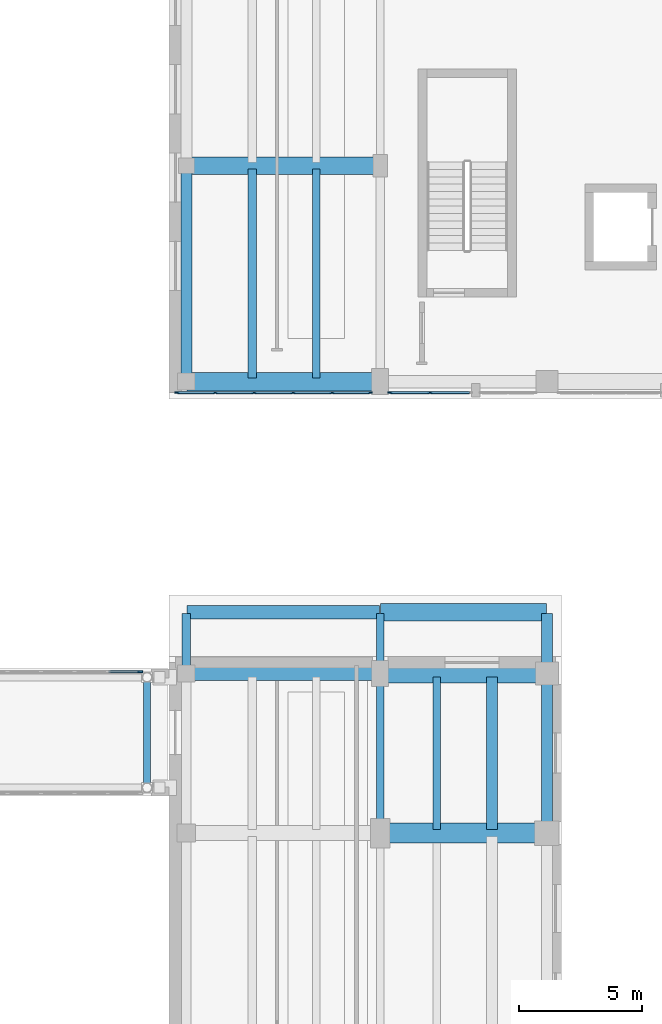
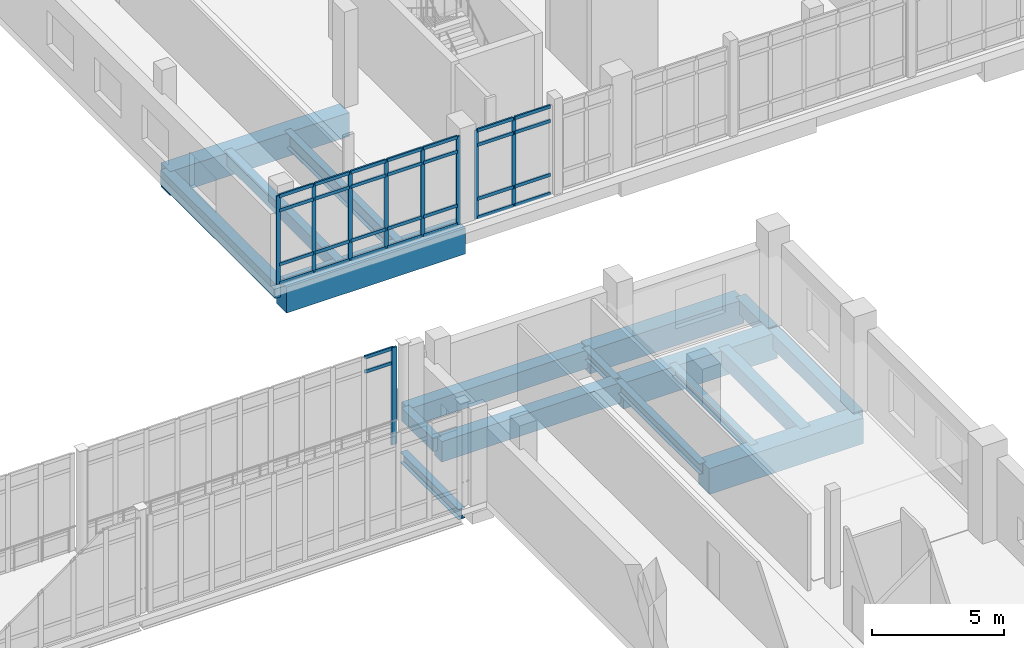
# One storey, part 25 of 89: 39 members, 18 beams, 3 elements without a shape of their own.
"""IFC4 building model written with IfcOpenShell, lengths in metres."""

from ifc_helpers import new_model, si_unit, direction, frame, origin, origin_2d, place, context, subcontext, project, spatial, rectangle, i_section, extrude, material, material_profile, profile_set, type_object, element, aggregate, save


model = new_model("IFC4")

# Units and contexts
model_context = context("Model", 3, precision=1e-05, world=origin(), true_north=direction((0.0, 1.0)))
body_context = subcontext(model_context, "Body", "Model", "MODEL_VIEW")
ifc_project = project(units=[si_unit("LENGTHUNIT", "METRE"), si_unit("AREAUNIT", "SQUARE_METRE"), si_unit("VOLUMEUNIT", "CUBIC_METRE"), si_unit("PLANEANGLEUNIT", "RADIAN"), si_unit("MASSUNIT", "GRAM", prefix="KILO")], contexts=[model_context])

# Site, building, storey
site_placement = place(None, origin())
site = spatial("IfcSite", under=ifc_project, at=site_placement, CompositionType="ELEMENT")
building_placement = place(site_placement, origin())
building = spatial("IfcBuilding", under=site, at=building_placement, Name="Soyqirgoq Riverine Aquarium", CompositionType="ELEMENT")
storey_placement = place(building_placement, frame((0.0, 0.0, 5.39990234375)))
storey = spatial("IfcBuildingStorey", under=building, at=storey_placement, Name="L02", CompositionType="ELEMENT", Elevation=5.39990234375)

# Beams
ifc_material_1 = material(Name="Concrete C40/50", Category="concrete")
ifc_material_profile_1 = material_profile(ifc_material_1, rectangle(XDim=0.35009765625, YDim=0.60009765625, at=origin_2d()), Name="RC 350x600")
ifc_profile_set_1 = profile_set([ifc_material_profile_1], Name="Concrete C40/50")
beam_type_1 = type_object("IfcBeamType", Name="Beam_RC_350x600", PredefinedType="JOIST", material=ifc_profile_set_1)
beam_1_placement = place(storey_placement, frame((114.699951171875, 44.85009765625, -0.64990234375), z_axis=(0.0, 1.0, 0.0), x_axis=(-1.0, 0.0, 0.0)))
element("IfcBeam", 1, at=beam_1_placement, inside=storey, type_object=beam_type_1, Name="V6 L02 North-South Frame Beam 1092", PredefinedType="JOIST", context=body_context, shape_type="SweptSolid", body=[
    extrude(rectangle(XDim=0.35009765625, YDim=0.60009765625, at=origin_2d()), origin(), (0.0, 0.0, 1.0), 2.39990234375),
])
beam_2_placement = place(storey_placement, frame((117.385986328125, 56.840087890625, -0.64990234375), z_axis=(0.0, 1.0, 0.0), x_axis=(-1.0, 0.0, 0.0)))
element("IfcBeam", 2, at=beam_2_placement, inside=storey, type_object=beam_type_1, Name="V7 L02 Secondary Bay Joist 1337", PredefinedType="JOIST", context=body_context, shape_type="SweptSolid", body=[
    extrude(rectangle(XDim=0.35009765625, YDim=0.60009765625, at=origin_2d()), origin(), (0.0, 0.0, 1.0), 8.52001953125),
])
ifc_material_2 = material(Name="Concrete C40/50", Category="concrete")
ifc_material_profile_2 = material_profile(ifc_material_2, rectangle(XDim=0.449951171875, YDim=0.64990234375, at=origin_2d()), Name="RC 450x650")
ifc_profile_set_2 = profile_set([ifc_material_profile_2], Name="Concrete C40/50")
beam_type_2 = type_object("IfcBeamType", Name="Beam_RC_450x650", PredefinedType="BEAM", material=ifc_profile_set_2)
beam_3_placement = place(storey_placement, frame((129.39990234375, 44.85009765625, -0.6748046875), z_axis=(0.0, 1.0, 0.0), x_axis=(-1.0, 0.0, 0.0)))
element("IfcBeam", 3, at=beam_3_placement, inside=storey, type_object=beam_type_2, Name="V6 L02 North-South Frame Beam 1112", PredefinedType="BEAM", context=body_context, shape_type="SweptSolid", body=[
    extrude(rectangle(XDim=0.449951171875, YDim=0.64990234375, at=origin_2d()), origin(), (0.0, 0.0, 1.0), 2.39990234375),
])
ifc_material_3 = material(Name="Concrete C40/50", Category="concrete")
ifc_material_profile_3 = material_profile(ifc_material_3, rectangle(XDim=0.449951171875, YDim=0.699951171875, at=origin_2d()), Name="RC 450x700")
ifc_profile_set_3 = profile_set([ifc_material_profile_3], Name="Concrete C40/50")
beam_type_3 = type_object("IfcBeamType", Name="Beam_RC_450x700", PredefinedType="BEAM", material=ifc_profile_set_3)
beam_4_placement = place(storey_placement, frame((129.39990234375, 38.35009765625, -0.699951171875), z_axis=(0.0, 1.0, 0.0), x_axis=(-1.0, 0.0, 0.0)))
element("IfcBeam", 4, at=beam_4_placement, inside=storey, type_object=beam_type_3, Name="V6 L02 North-South Frame Beam 1111", PredefinedType="BEAM", context=body_context, shape_type="SweptSolid", body=[
    extrude(rectangle(XDim=0.449951171875, YDim=0.699951171875, at=origin_2d()), origin(), (0.0, 0.0, 1.0), 6.39990234375),
])
beam_5_placement = place(storey_placement, frame((127.156005859375, 38.43994140625, -0.699951171875), z_axis=(0.0, 1.0, 0.0), x_axis=(-1.0, 0.0, 0.0)))
element("IfcBeam", 5, at=beam_5_placement, inside=storey, type_object=beam_type_3, Name="V6 L02 Secondary Bay Joist 1153", PredefinedType="BEAM", context=body_context, shape_type="SweptSolid", body=[
    extrude(rectangle(XDim=0.449951171875, YDim=0.699951171875, at=origin_2d()), origin(), (0.0, 0.0, 1.0), 6.219970703125),
])
beam_6_placement = place(storey_placement, frame((114.699951171875, 56.75, -0.699951171875), z_axis=(0.0, 1.0, 0.0), x_axis=(-1.0, 0.0, 0.0)))
element("IfcBeam", 6, at=beam_6_placement, inside=storey, type_object=beam_type_3, Name="V7 L02 North-South Frame Beam 1289", PredefinedType="BEAM", context=body_context, shape_type="SweptSolid", body=[
    extrude(rectangle(XDim=0.449951171875, YDim=0.699951171875, at=origin_2d()), origin(), (0.0, 0.0, 1.0), 8.699951171875),
])

# Curtain wall, members
ifc_material_4 = material(Name="Anodised aluminium thermally broken gallery curtain wall", Category="aluminium")
curtain_wall_type_1 = type_object("IfcCurtainWallType", Name="CW_Pavilion_Ribbon", PredefinedType="NOTDEFINED", material=ifc_material_4)
curtain_wall_1_placement = place(storey_placement, origin())
curtain_wall_1 = element("IfcCurtainWall", 7, at=curtain_wall_1_placement, inside=storey, type_object=curtain_wall_type_1, Name="V7 L02 Curtain Wall 130", PredefinedType="NOTDEFINED")
ifc_material_5 = material(Name="Anodised aluminium 6063-T6", Category="aluminium")
ifc_material_profile_4 = material_profile(ifc_material_5, rectangle(XDim=0.06494140625, YDim=0.179931640625, at=origin_2d()), Name="ALU-M 65x180")
ifc_profile_set_4 = profile_set([ifc_material_profile_4], Name="Anodised aluminium 6063-T6")
member_type_1 = type_object("IfcMemberType", Name="CWMullion_65x180", PredefinedType="MULLION", material=ifc_profile_set_4)
member_1_placement = place(storey_placement, frame((124.637451171875, 56.25, 0.0), z_axis=(0.0, 0.0, 1.0), x_axis=(0.0, -1.0, 0.0)))
member_1 = element("IfcMember", 8, at=member_1_placement, type_object=member_type_1, Name="CW-05 mullion 2", PredefinedType="MULLION", context=body_context, shape_type="SweptSolid", body=[
    extrude(rectangle(XDim=0.06494140625, YDim=0.179931640625, at=origin_2d()), origin(), (0.0, 0.0, 1.0), 4.10009765625),
])
member_2_placement = place(storey_placement, frame((123.00244140625, 56.25, 0.0), z_axis=(0.0, 0.0, 1.0), x_axis=(0.0, -1.0, 0.0)))
member_2 = element("IfcMember", 9, at=member_2_placement, type_object=member_type_1, Name="CW-05 mullion 3", PredefinedType="MULLION", context=body_context, shape_type="SweptSolid", body=[
    extrude(rectangle(XDim=0.06494140625, YDim=0.179931640625, at=origin_2d()), origin(), (0.0, 0.0, 1.0), 4.10009765625),
])

curtain_wall_2_placement = place(storey_placement, origin())
curtain_wall_2 = element("IfcCurtainWall", 10, at=curtain_wall_2_placement, inside=storey, type_object=curtain_wall_type_1, Name="V7 L02 Curtain Wall 131", PredefinedType="NOTDEFINED")
member_3_placement = place(storey_placement, frame((122.197509765625, 56.25, 0.0), z_axis=(0.0, 0.0, 1.0), x_axis=(0.0, -1.0, 0.0)))
member_3 = element("IfcMember", 11, at=member_3_placement, type_object=member_type_1, Name="CW-05 mullion 1", PredefinedType="MULLION", context=body_context, shape_type="SweptSolid", body=[
    extrude(rectangle(XDim=0.06494140625, YDim=0.179931640625, at=origin_2d()), origin(), (0.0, 0.0, 1.0), 4.10009765625),
])
member_4_placement = place(storey_placement, frame((120.64208984375, 56.25, 0.0), z_axis=(0.0, 0.0, 1.0), x_axis=(0.0, -1.0, 0.0)))
member_4 = element("IfcMember", 12, at=member_4_placement, type_object=member_type_1, Name="CW-05 mullion 2", PredefinedType="MULLION", context=body_context, shape_type="SweptSolid", body=[
    extrude(rectangle(XDim=0.06494140625, YDim=0.179931640625, at=origin_2d()), origin(), (0.0, 0.0, 1.0), 4.10009765625),
])
member_5_placement = place(storey_placement, frame((119.053955078125, 56.25, 0.0), z_axis=(0.0, 0.0, 1.0), x_axis=(0.0, -1.0, 0.0)))
member_5 = element("IfcMember", 13, at=member_5_placement, type_object=member_type_1, Name="CW-05 mullion 3", PredefinedType="MULLION", context=body_context, shape_type="SweptSolid", body=[
    extrude(rectangle(XDim=0.06494140625, YDim=0.179931640625, at=origin_2d()), origin(), (0.0, 0.0, 1.0), 4.10009765625),
])
member_6_placement = place(storey_placement, frame((117.466064453125, 56.25, 0.0), z_axis=(0.0, 0.0, 1.0), x_axis=(0.0, -1.0, 0.0)))
member_6 = element("IfcMember", 14, at=member_6_placement, type_object=member_type_1, Name="CW-05 mullion 4", PredefinedType="MULLION", context=body_context, shape_type="SweptSolid", body=[
    extrude(rectangle(XDim=0.06494140625, YDim=0.179931640625, at=origin_2d()), origin(), (0.0, 0.0, 1.0), 4.10009765625),
])
member_7_placement = place(storey_placement, frame((115.8779296875, 56.25, 0.0), z_axis=(0.0, 0.0, 1.0), x_axis=(0.0, -1.0, 0.0)))
member_7 = element("IfcMember", 15, at=member_7_placement, type_object=member_type_1, Name="CW-05 mullion 5", PredefinedType="MULLION", context=body_context, shape_type="SweptSolid", body=[
    extrude(rectangle(XDim=0.06494140625, YDim=0.179931640625, at=origin_2d()), origin(), (0.0, 0.0, 1.0), 4.10009765625),
])
member_8_placement = place(storey_placement, frame((114.322509765625, 56.25, 0.0), z_axis=(0.0, 0.0, 1.0), x_axis=(0.0, -1.0, 0.0)))
member_8 = element("IfcMember", 16, at=member_8_placement, type_object=member_type_1, Name="CW-05 mullion 6", PredefinedType="MULLION", context=body_context, shape_type="SweptSolid", body=[
    extrude(rectangle(XDim=0.06494140625, YDim=0.179931640625, at=origin_2d()), origin(), (0.0, 0.0, 1.0), 4.10009765625),
])

# Curtain wall, member
ifc_material_6 = material(Name="Laminated solar-control bridge curtain wall", Category="aluminium")
curtain_wall_type_2 = type_object("IfcCurtainWallType", Name="CW_Bridge_Concourse", PredefinedType="NOTDEFINED", material=ifc_material_6)
curtain_wall_3_placement = place(storey_placement, origin())
curtain_wall_3 = element("IfcCurtainWall", 17, at=curtain_wall_3_placement, inside=storey, type_object=curtain_wall_type_2, Name="BR-1 L02 Curtain Wall 140", PredefinedType="NOTDEFINED")
ifc_material_7 = material(Name="Anodised aluminium 6063-T6", Category="aluminium")
ifc_material_profile_5 = material_profile(ifc_material_7, rectangle(XDim=0.080078125, YDim=0.219970703125, at=origin_2d()), Name="ALU-M 80x220")
ifc_profile_set_5 = profile_set([ifc_material_profile_5], Name="Anodised aluminium 6063-T6")
member_type_2 = type_object("IfcMemberType", Name="CWMullion_80x220", PredefinedType="MULLION", material=ifc_profile_set_5)
member_9_placement = place(storey_placement, frame((112.820068359375, 44.8798828125, 0.0), z_axis=(0.0, 0.0, 1.0), x_axis=(0.0, 1.0, 0.0)))
member_9 = element("IfcMember", 18, at=member_9_placement, type_object=member_type_2, Name="CW-06 mullion 11", PredefinedType="MULLION", context=body_context, shape_type="SweptSolid", body=[
    extrude(rectangle(XDim=0.080078125, YDim=0.219970703125, at=origin_2d()), origin(), (0.0, 0.0, 1.0), 4.5),
])

# Member
ifc_material_8 = material(Name="Anodised aluminium 6063-T6", Category="aluminium")
ifc_material_profile_6 = material_profile(ifc_material_8, rectangle(XDim=0.074951171875, YDim=0.14990234375, at=origin_2d()), Name="ALU-T 75x150")
ifc_profile_set_6 = profile_set([ifc_material_profile_6], Name="Anodised aluminium 6063-T6")
member_type_3 = type_object("IfcMemberType", Name="CWTransom_75x150", PredefinedType="USERDEFINED", material=ifc_profile_set_6)
member_10_placement = place(storey_placement, frame((126.239990234375, 56.25, 0.03759765625), z_axis=(-1.0, 0.0, 0.0), x_axis=(0.0, -1.0, 0.0)))
member_10 = element("IfcMember", 19, at=member_10_placement, type_object=member_type_3, Name="CW-05 transom 1.1", ObjectType="TRANSOM", PredefinedType="USERDEFINED", context=body_context, shape_type="SweptSolid", body=[
    extrude(rectangle(XDim=0.074951171875, YDim=0.14990234375, at=origin_2d()), origin(), (0.0, 0.0, 1.0), 1.570068359375),
])

member_11_placement = place(storey_placement, frame((126.239990234375, 56.25, 0.900146484375), z_axis=(-1.0, 0.0, 0.0), x_axis=(0.0, -1.0, 0.0)))
member_11 = element("IfcMember", 20, at=member_11_placement, type_object=member_type_3, Name="CW-05 transom 1.2", ObjectType="TRANSOM", PredefinedType="USERDEFINED", context=body_context, shape_type="SweptSolid", body=[
    extrude(rectangle(XDim=0.074951171875, YDim=0.14990234375, at=origin_2d()), origin(), (0.0, 0.0, 1.0), 1.570068359375),
])

member_12_placement = place(storey_placement, frame((126.239990234375, 56.25, 3.400146484375), z_axis=(-1.0, 0.0, 0.0), x_axis=(0.0, -1.0, 0.0)))
member_12 = element("IfcMember", 21, at=member_12_placement, type_object=member_type_3, Name="CW-05 transom 1.3", ObjectType="TRANSOM", PredefinedType="USERDEFINED", context=body_context, shape_type="SweptSolid", body=[
    extrude(rectangle(XDim=0.074951171875, YDim=0.14990234375, at=origin_2d()), origin(), (0.0, 0.0, 1.0), 1.570068359375),
])

member_13_placement = place(storey_placement, frame((126.239990234375, 56.25, 4.0625), z_axis=(-1.0, 0.0, 0.0), x_axis=(0.0, -1.0, 0.0)))
member_13 = element("IfcMember", 22, at=member_13_placement, type_object=member_type_3, Name="CW-05 transom 1.4", ObjectType="TRANSOM", PredefinedType="USERDEFINED", context=body_context, shape_type="SweptSolid", body=[
    extrude(rectangle(XDim=0.074951171875, YDim=0.14990234375, at=origin_2d()), origin(), (0.0, 0.0, 1.0), 1.570068359375),
])

member_14_placement = place(storey_placement, frame((124.60498046875, 56.25, 0.03759765625), z_axis=(-1.0, 0.0, 0.0), x_axis=(0.0, -1.0, 0.0)))
member_14 = element("IfcMember", 23, at=member_14_placement, type_object=member_type_3, Name="CW-05 transom 2.1", ObjectType="TRANSOM", PredefinedType="USERDEFINED", context=body_context, shape_type="SweptSolid", body=[
    extrude(rectangle(XDim=0.074951171875, YDim=0.14990234375, at=origin_2d()), origin(), (0.0, 0.0, 1.0), 1.570068359375),
])

member_15_placement = place(storey_placement, frame((124.60498046875, 56.25, 0.900146484375), z_axis=(-1.0, 0.0, 0.0), x_axis=(0.0, -1.0, 0.0)))
member_15 = element("IfcMember", 24, at=member_15_placement, type_object=member_type_3, Name="CW-05 transom 2.2", ObjectType="TRANSOM", PredefinedType="USERDEFINED", context=body_context, shape_type="SweptSolid", body=[
    extrude(rectangle(XDim=0.074951171875, YDim=0.14990234375, at=origin_2d()), origin(), (0.0, 0.0, 1.0), 1.570068359375),
])

member_16_placement = place(storey_placement, frame((124.60498046875, 56.25, 3.400146484375), z_axis=(-1.0, 0.0, 0.0), x_axis=(0.0, -1.0, 0.0)))
member_16 = element("IfcMember", 25, at=member_16_placement, type_object=member_type_3, Name="CW-05 transom 2.3", ObjectType="TRANSOM", PredefinedType="USERDEFINED", context=body_context, shape_type="SweptSolid", body=[
    extrude(rectangle(XDim=0.074951171875, YDim=0.14990234375, at=origin_2d()), origin(), (0.0, 0.0, 1.0), 1.570068359375),
])

member_17_placement = place(storey_placement, frame((124.60498046875, 56.25, 4.0625), z_axis=(-1.0, 0.0, 0.0), x_axis=(0.0, -1.0, 0.0)))
member_17 = element("IfcMember", 26, at=member_17_placement, type_object=member_type_3, Name="CW-05 transom 2.4", ObjectType="TRANSOM", PredefinedType="USERDEFINED", context=body_context, shape_type="SweptSolid", body=[
    extrude(rectangle(XDim=0.074951171875, YDim=0.14990234375, at=origin_2d()), origin(), (0.0, 0.0, 1.0), 1.570068359375),
])

aggregate(curtain_wall_1, [member_1, member_2, member_10, member_11, member_12, member_13, member_14, member_15, member_16, member_17])

member_18_placement = place(storey_placement, frame((122.1650390625, 56.25, 0.03759765625), z_axis=(-1.0, 0.0, 0.0), x_axis=(0.0, -1.0, 0.0)))
member_18 = element("IfcMember", 27, at=member_18_placement, type_object=member_type_3, Name="CW-05 transom 1.1", ObjectType="TRANSOM", PredefinedType="USERDEFINED", context=body_context, shape_type="SweptSolid", body=[
    extrude(rectangle(XDim=0.074951171875, YDim=0.14990234375, at=origin_2d()), origin(), (0.0, 0.0, 1.0), 1.490478515625),
])

member_19_placement = place(storey_placement, frame((122.1650390625, 56.25, 0.900146484375), z_axis=(-1.0, 0.0, 0.0), x_axis=(0.0, -1.0, 0.0)))
member_19 = element("IfcMember", 28, at=member_19_placement, type_object=member_type_3, Name="CW-05 transom 1.2", ObjectType="TRANSOM", PredefinedType="USERDEFINED", context=body_context, shape_type="SweptSolid", body=[
    extrude(rectangle(XDim=0.074951171875, YDim=0.14990234375, at=origin_2d()), origin(), (0.0, 0.0, 1.0), 1.490478515625),
])

member_20_placement = place(storey_placement, frame((122.1650390625, 56.25, 3.400146484375), z_axis=(-1.0, 0.0, 0.0), x_axis=(0.0, -1.0, 0.0)))
member_20 = element("IfcMember", 29, at=member_20_placement, type_object=member_type_3, Name="CW-05 transom 1.3", ObjectType="TRANSOM", PredefinedType="USERDEFINED", context=body_context, shape_type="SweptSolid", body=[
    extrude(rectangle(XDim=0.074951171875, YDim=0.14990234375, at=origin_2d()), origin(), (0.0, 0.0, 1.0), 1.490478515625),
])

member_21_placement = place(storey_placement, frame((122.1650390625, 56.25, 4.0625), z_axis=(-1.0, 0.0, 0.0), x_axis=(0.0, -1.0, 0.0)))
member_21 = element("IfcMember", 30, at=member_21_placement, type_object=member_type_3, Name="CW-05 transom 1.4", ObjectType="TRANSOM", PredefinedType="USERDEFINED", context=body_context, shape_type="SweptSolid", body=[
    extrude(rectangle(XDim=0.074951171875, YDim=0.14990234375, at=origin_2d()), origin(), (0.0, 0.0, 1.0), 1.490478515625),
])

member_22_placement = place(storey_placement, frame((120.609619140625, 56.25, 0.03759765625), z_axis=(-1.0, 0.0, 0.0), x_axis=(0.0, -1.0, 0.0)))
member_22 = element("IfcMember", 31, at=member_22_placement, type_object=member_type_3, Name="CW-05 transom 2.1", ObjectType="TRANSOM", PredefinedType="USERDEFINED", context=body_context, shape_type="SweptSolid", body=[
    extrude(rectangle(XDim=0.074951171875, YDim=0.14990234375, at=origin_2d()), origin(), (0.0, 0.0, 1.0), 1.523193359375),
])

member_23_placement = place(storey_placement, frame((120.609619140625, 56.25, 0.900146484375), z_axis=(-1.0, 0.0, 0.0), x_axis=(0.0, -1.0, 0.0)))
member_23 = element("IfcMember", 32, at=member_23_placement, type_object=member_type_3, Name="CW-05 transom 2.2", ObjectType="TRANSOM", PredefinedType="USERDEFINED", context=body_context, shape_type="SweptSolid", body=[
    extrude(rectangle(XDim=0.074951171875, YDim=0.14990234375, at=origin_2d()), origin(), (0.0, 0.0, 1.0), 1.523193359375),
])

member_24_placement = place(storey_placement, frame((120.609619140625, 56.25, 3.400146484375), z_axis=(-1.0, 0.0, 0.0), x_axis=(0.0, -1.0, 0.0)))
member_24 = element("IfcMember", 33, at=member_24_placement, type_object=member_type_3, Name="CW-05 transom 2.3", ObjectType="TRANSOM", PredefinedType="USERDEFINED", context=body_context, shape_type="SweptSolid", body=[
    extrude(rectangle(XDim=0.074951171875, YDim=0.14990234375, at=origin_2d()), origin(), (0.0, 0.0, 1.0), 1.523193359375),
])

member_25_placement = place(storey_placement, frame((120.609619140625, 56.25, 4.0625), z_axis=(-1.0, 0.0, 0.0), x_axis=(0.0, -1.0, 0.0)))
member_25 = element("IfcMember", 34, at=member_25_placement, type_object=member_type_3, Name="CW-05 transom 2.4", ObjectType="TRANSOM", PredefinedType="USERDEFINED", context=body_context, shape_type="SweptSolid", body=[
    extrude(rectangle(XDim=0.074951171875, YDim=0.14990234375, at=origin_2d()), origin(), (0.0, 0.0, 1.0), 1.523193359375),
])

member_26_placement = place(storey_placement, frame((119.021484375, 56.25, 0.03759765625), z_axis=(-1.0, 0.0, 0.0), x_axis=(0.0, -1.0, 0.0)))
member_26 = element("IfcMember", 35, at=member_26_placement, type_object=member_type_3, Name="CW-05 transom 3.1", ObjectType="TRANSOM", PredefinedType="USERDEFINED", context=body_context, shape_type="SweptSolid", body=[
    extrude(rectangle(XDim=0.074951171875, YDim=0.14990234375, at=origin_2d()), origin(), (0.0, 0.0, 1.0), 1.52294921875),
])

member_27_placement = place(storey_placement, frame((119.021484375, 56.25, 0.900146484375), z_axis=(-1.0, 0.0, 0.0), x_axis=(0.0, -1.0, 0.0)))
member_27 = element("IfcMember", 36, at=member_27_placement, type_object=member_type_3, Name="CW-05 transom 3.2", ObjectType="TRANSOM", PredefinedType="USERDEFINED", context=body_context, shape_type="SweptSolid", body=[
    extrude(rectangle(XDim=0.074951171875, YDim=0.14990234375, at=origin_2d()), origin(), (0.0, 0.0, 1.0), 1.52294921875),
])

member_28_placement = place(storey_placement, frame((119.021484375, 56.25, 3.400146484375), z_axis=(-1.0, 0.0, 0.0), x_axis=(0.0, -1.0, 0.0)))
member_28 = element("IfcMember", 37, at=member_28_placement, type_object=member_type_3, Name="CW-05 transom 3.3", ObjectType="TRANSOM", PredefinedType="USERDEFINED", context=body_context, shape_type="SweptSolid", body=[
    extrude(rectangle(XDim=0.074951171875, YDim=0.14990234375, at=origin_2d()), origin(), (0.0, 0.0, 1.0), 1.52294921875),
])

member_29_placement = place(storey_placement, frame((119.021484375, 56.25, 4.0625), z_axis=(-1.0, 0.0, 0.0), x_axis=(0.0, -1.0, 0.0)))
member_29 = element("IfcMember", 38, at=member_29_placement, type_object=member_type_3, Name="CW-05 transom 3.4", ObjectType="TRANSOM", PredefinedType="USERDEFINED", context=body_context, shape_type="SweptSolid", body=[
    extrude(rectangle(XDim=0.074951171875, YDim=0.14990234375, at=origin_2d()), origin(), (0.0, 0.0, 1.0), 1.52294921875),
])

member_30_placement = place(storey_placement, frame((117.43359375, 56.25, 0.03759765625), z_axis=(-1.0, 0.0, 0.0), x_axis=(0.0, -1.0, 0.0)))
member_30 = element("IfcMember", 39, at=member_30_placement, type_object=member_type_3, Name="CW-05 transom 4.1", ObjectType="TRANSOM", PredefinedType="USERDEFINED", context=body_context, shape_type="SweptSolid", body=[
    extrude(rectangle(XDim=0.074951171875, YDim=0.14990234375, at=origin_2d()), origin(), (0.0, 0.0, 1.0), 1.523193359375),
])

member_31_placement = place(storey_placement, frame((117.43359375, 56.25, 0.900146484375), z_axis=(-1.0, 0.0, 0.0), x_axis=(0.0, -1.0, 0.0)))
member_31 = element("IfcMember", 40, at=member_31_placement, type_object=member_type_3, Name="CW-05 transom 4.2", ObjectType="TRANSOM", PredefinedType="USERDEFINED", context=body_context, shape_type="SweptSolid", body=[
    extrude(rectangle(XDim=0.074951171875, YDim=0.14990234375, at=origin_2d()), origin(), (0.0, 0.0, 1.0), 1.523193359375),
])

member_32_placement = place(storey_placement, frame((117.43359375, 56.25, 3.400146484375), z_axis=(-1.0, 0.0, 0.0), x_axis=(0.0, -1.0, 0.0)))
member_32 = element("IfcMember", 41, at=member_32_placement, type_object=member_type_3, Name="CW-05 transom 4.3", ObjectType="TRANSOM", PredefinedType="USERDEFINED", context=body_context, shape_type="SweptSolid", body=[
    extrude(rectangle(XDim=0.074951171875, YDim=0.14990234375, at=origin_2d()), origin(), (0.0, 0.0, 1.0), 1.523193359375),
])

member_33_placement = place(storey_placement, frame((117.43359375, 56.25, 4.0625), z_axis=(-1.0, 0.0, 0.0), x_axis=(0.0, -1.0, 0.0)))
member_33 = element("IfcMember", 42, at=member_33_placement, type_object=member_type_3, Name="CW-05 transom 4.4", ObjectType="TRANSOM", PredefinedType="USERDEFINED", context=body_context, shape_type="SweptSolid", body=[
    extrude(rectangle(XDim=0.074951171875, YDim=0.14990234375, at=origin_2d()), origin(), (0.0, 0.0, 1.0), 1.523193359375),
])

member_34_placement = place(storey_placement, frame((115.845458984375, 56.25, 0.03759765625), z_axis=(-1.0, 0.0, 0.0), x_axis=(0.0, -1.0, 0.0)))
member_34 = element("IfcMember", 43, at=member_34_placement, type_object=member_type_3, Name="CW-05 transom 5.1", ObjectType="TRANSOM", PredefinedType="USERDEFINED", context=body_context, shape_type="SweptSolid", body=[
    extrude(rectangle(XDim=0.074951171875, YDim=0.14990234375, at=origin_2d()), origin(), (0.0, 0.0, 1.0), 1.490478515625),
])

member_35_placement = place(storey_placement, frame((115.845458984375, 56.25, 0.900146484375), z_axis=(-1.0, 0.0, 0.0), x_axis=(0.0, -1.0, 0.0)))
member_35 = element("IfcMember", 44, at=member_35_placement, type_object=member_type_3, Name="CW-05 transom 5.2", ObjectType="TRANSOM", PredefinedType="USERDEFINED", context=body_context, shape_type="SweptSolid", body=[
    extrude(rectangle(XDim=0.074951171875, YDim=0.14990234375, at=origin_2d()), origin(), (0.0, 0.0, 1.0), 1.490478515625),
])

member_36_placement = place(storey_placement, frame((115.845458984375, 56.25, 3.400146484375), z_axis=(-1.0, 0.0, 0.0), x_axis=(0.0, -1.0, 0.0)))
member_36 = element("IfcMember", 45, at=member_36_placement, type_object=member_type_3, Name="CW-05 transom 5.3", ObjectType="TRANSOM", PredefinedType="USERDEFINED", context=body_context, shape_type="SweptSolid", body=[
    extrude(rectangle(XDim=0.074951171875, YDim=0.14990234375, at=origin_2d()), origin(), (0.0, 0.0, 1.0), 1.490478515625),
])

member_37_placement = place(storey_placement, frame((115.845458984375, 56.25, 4.0625), z_axis=(-1.0, 0.0, 0.0), x_axis=(0.0, -1.0, 0.0)))
member_37 = element("IfcMember", 46, at=member_37_placement, type_object=member_type_3, Name="CW-05 transom 5.4", ObjectType="TRANSOM", PredefinedType="USERDEFINED", context=body_context, shape_type="SweptSolid", body=[
    extrude(rectangle(XDim=0.074951171875, YDim=0.14990234375, at=origin_2d()), origin(), (0.0, 0.0, 1.0), 1.490478515625),
])

aggregate(curtain_wall_2, [member_3, member_4, member_5, member_6, member_7, member_8, member_18, member_19, member_20, member_21, member_22, member_23, member_24, member_25, member_26, member_27, member_28, member_29, member_30, member_31, member_32, member_33, member_34, member_35, member_36, member_37])

member_38_placement = place(storey_placement, frame((111.5380859375, 44.8798828125, 3.800048828125), z_axis=(1.0, 0.0, 0.0), x_axis=(0.0, 1.0, 0.0)))
member_38 = element("IfcMember", 47, at=member_38_placement, type_object=member_type_3, Name="CW-06 transom 10.3", ObjectType="TRANSOM", PredefinedType="USERDEFINED", context=body_context, shape_type="SweptSolid", body=[
    extrude(rectangle(XDim=0.074951171875, YDim=0.14990234375, at=origin_2d()), origin(), (0.0, 0.0, 1.0), 1.241943359375),
])

member_39_placement = place(storey_placement, frame((111.5380859375, 44.8798828125, 4.462646484375), z_axis=(1.0, 0.0, 0.0), x_axis=(0.0, 1.0, 0.0)))
member_39 = element("IfcMember", 48, at=member_39_placement, type_object=member_type_3, Name="CW-06 transom 10.4", ObjectType="TRANSOM", PredefinedType="USERDEFINED", context=body_context, shape_type="SweptSolid", body=[
    extrude(rectangle(XDim=0.074951171875, YDim=0.14990234375, at=origin_2d()), origin(), (0.0, 0.0, 1.0), 1.241943359375),
])

aggregate(curtain_wall_3, [member_9, member_38, member_39])

# Beams
ifc_material_9 = material(Name="Concrete C40/50", Category="concrete")
ifc_material_profile_7 = material_profile(ifc_material_9, rectangle(XDim=0.550048828125, YDim=0.85009765625, at=origin_2d()), Name="RC 550x850")
ifc_profile_set_7 = profile_set([ifc_material_profile_7], Name="Concrete C40/50")
beam_type_4 = type_object("IfcBeamType", Name="Girder_RC_550x850", PredefinedType="BEAM", material=ifc_profile_set_7)
beam_7_placement = place(storey_placement, frame((114.719970703125, 47.300048828125, -0.77490234375), z_axis=(1.0, 0.0, 0.0), x_axis=(0.0, 1.0, 0.0)))
element("IfcBeam", 49, at=beam_7_placement, inside=storey, type_object=beam_type_4, Name="V6 L02 East-West Frame Girder 1094", PredefinedType="BEAM", context=body_context, shape_type="SweptSolid", body=[
    extrude(rectangle(XDim=0.550048828125, YDim=0.85009765625, at=origin_2d()), origin(), (0.0, 0.0, 1.0), 7.860107421875),
])
ifc_material_10 = material(Name="Concrete C40/50", Category="concrete")
ifc_material_profile_8 = material_profile(ifc_material_10, rectangle(XDim=0.550048828125, YDim=0.949951171875, at=origin_2d()), Name="RC 550x950")
ifc_profile_set_8 = profile_set([ifc_material_profile_8], Name="Concrete C40/50")
beam_type_5 = type_object("IfcBeamType", Name="Girder_RC_550x950", PredefinedType="BEAM", material=ifc_profile_set_8)
beam_8_placement = place(storey_placement, frame((114.719970703125, 44.800048828125, -0.824951171875), z_axis=(1.0, 0.0, 0.0), x_axis=(0.0, 1.0, 0.0)))
element("IfcBeam", 50, at=beam_8_placement, inside=storey, type_object=beam_type_5, Name="V6 L02 East-West Frame Girder 1093", PredefinedType="BEAM", context=body_context, shape_type="SweptSolid", body=[
    extrude(rectangle(XDim=0.550048828125, YDim=0.949951171875, at=origin_2d()), origin(), (0.0, 0.0, 1.0), 7.860107421875),
])
ifc_material_11 = material(Name="Concrete C40/50", Category="concrete")
ifc_material_profile_9 = material_profile(ifc_material_11, rectangle(XDim=0.699951171875, YDim=1.10009765625, at=origin_2d()), Name="RC 700x1100")
ifc_profile_set_9 = profile_set([ifc_material_profile_9], Name="Concrete C40/50")
beam_type_6 = type_object("IfcBeamType", Name="Girder_RC_700x1100", PredefinedType="BEAM", material=ifc_profile_set_9)
beam_9_placement = place(storey_placement, frame((122.6201171875, 47.300048828125, -0.89990234375), z_axis=(1.0, 0.0, 0.0), x_axis=(0.0, 1.0, 0.0)))
element("IfcBeam", 51, at=beam_9_placement, inside=storey, type_object=beam_type_6, Name="V6 L02 East-West Frame Girder 1106", PredefinedType="BEAM", context=body_context, shape_type="SweptSolid", body=[
    extrude(rectangle(XDim=0.699951171875, YDim=1.10009765625, at=origin_2d()), origin(), (0.0, 0.0, 1.0), 6.759765625),
])
beam_10_placement = place(storey_placement, frame((114.719970703125, 65.5, -0.89990234375), z_axis=(1.0, 0.0, 0.0), x_axis=(0.0, 1.0, 0.0)))
element("IfcBeam", 52, at=beam_10_placement, inside=storey, type_object=beam_type_6, Name="V7 L02 East-West Frame Girder 1292", PredefinedType="BEAM", context=body_context, shape_type="SweptSolid", body=[
    extrude(rectangle(XDim=0.699951171875, YDim=1.10009765625, at=origin_2d()), origin(), (0.0, 0.0, 1.0), 7.860107421875),
])
ifc_material_12 = material(Name="Concrete C40/50", Category="concrete")
ifc_material_profile_10 = material_profile(ifc_material_12, rectangle(XDim=0.75, YDim=1.199951171875, at=origin_2d()), Name="RC 750x1200")
ifc_profile_set_10 = profile_set([ifc_material_profile_10], Name="Concrete C40/50")
beam_type_7 = type_object("IfcBeamType", Name="Girder_RC_750x1200", PredefinedType="BEAM", material=ifc_profile_set_10)
beam_11_placement = place(storey_placement, frame((122.6201171875, 44.800048828125, -0.949951171875), z_axis=(1.0, 0.0, 0.0), x_axis=(0.0, 1.0, 0.0)))
element("IfcBeam", 53, at=beam_11_placement, inside=storey, type_object=beam_type_7, Name="V6 L02 East-West Frame Girder 1105", PredefinedType="BEAM", context=body_context, shape_type="SweptSolid", body=[
    extrude(rectangle(XDim=0.75, YDim=1.199951171875, at=origin_2d()), origin(), (0.0, 0.0, 1.0), 6.759765625),
])
beam_12_placement = place(storey_placement, frame((114.719970703125, 56.699951171875, -0.949951171875), z_axis=(1.0, 0.0, 0.0), x_axis=(0.0, 1.0, 0.0)))
element("IfcBeam", 54, at=beam_12_placement, inside=storey, type_object=beam_type_7, Name="V7 L02 East-West Frame Girder 1290", PredefinedType="BEAM", context=body_context, shape_type="SweptSolid", body=[
    extrude(rectangle(XDim=0.75, YDim=1.199951171875, at=origin_2d()), origin(), (0.0, 0.0, 1.0), 7.860107421875),
])
ifc_material_13 = material(Name="Concrete C40/50", Category="concrete")
ifc_material_profile_11 = material_profile(ifc_material_13, rectangle(XDim=0.800048828125, YDim=1.199951171875, at=origin_2d()), Name="RC 800x1200")
ifc_profile_set_11 = profile_set([ifc_material_profile_11], Name="Concrete C40/50")
beam_type_8 = type_object("IfcBeamType", Name="Girder_RC_800x1200", PredefinedType="BEAM", material=ifc_profile_set_11)
beam_13_placement = place(storey_placement, frame((122.6201171875, 38.300048828125, -0.949951171875), z_axis=(1.0, 0.0, 0.0), x_axis=(0.0, 1.0, 0.0)))
element("IfcBeam", 55, at=beam_13_placement, inside=storey, type_object=beam_type_8, Name="V6 L02 East-West Frame Girder 1103", PredefinedType="BEAM", context=body_context, shape_type="SweptSolid", body=[
    extrude(rectangle(XDim=0.800048828125, YDim=1.199951171875, at=origin_2d()), origin(), (0.0, 0.0, 1.0), 6.759765625),
])
ifc_material_14 = material(Name="Structural steel S355", Category="steel")
ifc_material_profile_12 = material_profile(ifc_material_14, i_section(OverallWidth=0.300048828125, OverallDepth=0.43994140625, WebThickness=0.011474609375, FlangeThickness=0.02099609375, FilletRadius=0.027099609375, at=origin_2d()), Name="HEA 450")
ifc_profile_set_12 = profile_set([ifc_material_profile_12], Name="Structural steel S355")
beam_type_9 = type_object("IfcBeamType", Name="SteelBeam_HEA450", PredefinedType="BEAM", material=ifc_profile_set_12)
beam_14_placement = place(storey_placement, frame((122.60009765625, 44.85009765625, -0.56982421875), z_axis=(0.0, 1.0, 0.0), x_axis=(-1.0, 0.0, 0.0)))
element("IfcBeam", 56, at=beam_14_placement, inside=storey, type_object=beam_type_9, Name="V6 L02 North-South Frame Beam 1104", PredefinedType="BEAM", context=body_context, shape_type="SweptSolid", body=[
    extrude(i_section(OverallWidth=0.300048828125, OverallDepth=0.43994140625, WebThickness=0.011474609375, FlangeThickness=0.02099609375, FilletRadius=0.027099609375, at=origin_2d()), origin(), (0.0, 0.0, 1.0), 2.39990234375),
])
beam_15_placement = place(storey_placement, frame((124.912109375, 38.43994140625, -0.56982421875), z_axis=(0.0, 1.0, 0.0), x_axis=(-1.0, 0.0, 0.0)))
element("IfcBeam", 57, at=beam_15_placement, inside=storey, type_object=beam_type_9, Name="V6 L02 Secondary Bay Joist 1152", PredefinedType="BEAM", context=body_context, shape_type="SweptSolid", body=[
    extrude(i_section(OverallWidth=0.300048828125, OverallDepth=0.43994140625, WebThickness=0.011474609375, FlangeThickness=0.02099609375, FilletRadius=0.027099609375, at=origin_2d()), origin(), (0.0, 0.0, 1.0), 6.219970703125),
])
ifc_material_15 = material(Name="Structural steel S355", Category="steel")
ifc_material_profile_13 = material_profile(ifc_material_15, i_section(OverallWidth=0.300048828125, OverallDepth=0.489990234375, WebThickness=0.011962890625, FlangeThickness=0.02294921875, FilletRadius=0.027099609375, at=origin_2d()), Name="HEA 500")
ifc_profile_set_13 = profile_set([ifc_material_profile_13], Name="Structural steel S355")
beam_type_10 = type_object("IfcBeamType", Name="SteelBeam_HEA500", PredefinedType="BEAM", material=ifc_profile_set_13)
beam_16_placement = place(storey_placement, frame((122.60009765625, 38.35009765625, -0.594970703125), z_axis=(0.0, 1.0, 0.0), x_axis=(-1.0, 0.0, 0.0)))
element("IfcBeam", 58, at=beam_16_placement, inside=storey, type_object=beam_type_10, Name="V6 L02 North-South Frame Beam 1102", PredefinedType="BEAM", context=body_context, shape_type="SweptSolid", body=[
    extrude(i_section(OverallWidth=0.300048828125, OverallDepth=0.489990234375, WebThickness=0.011962890625, FlangeThickness=0.02294921875, FilletRadius=0.027099609375, at=origin_2d()), origin(), (0.0, 0.0, 1.0), 6.39990234375),
])
beam_17_placement = place(storey_placement, frame((113.10009765625, 40.199951171875, -0.494873046875), z_axis=(0.0, 1.0, 0.0), x_axis=(-1.0, 0.0, 0.0)))
element("IfcBeam", 59, at=beam_17_placement, inside=storey, type_object=beam_type_10, Name="BR-1 L02 Bridge Cross Transom 1448", PredefinedType="BEAM", context=body_context, shape_type="SweptSolid", body=[
    extrude(i_section(OverallWidth=0.300048828125, OverallDepth=0.489990234375, WebThickness=0.011962890625, FlangeThickness=0.02294921875, FilletRadius=0.027099609375, at=origin_2d()), origin(), (0.0, 0.0, 1.0), 4.400146484375),
])
ifc_material_16 = material(Name="Structural steel S355", Category="steel")
ifc_material_profile_14 = material_profile(ifc_material_16, i_section(OverallWidth=0.300048828125, OverallDepth=0.68994140625, WebThickness=0.014404296875, FlangeThickness=0.027099609375, FilletRadius=0.027099609375, at=origin_2d()), Name="HEA 700")
ifc_profile_set_14 = profile_set([ifc_material_profile_14], Name="Structural steel S355")
beam_type_11 = type_object("IfcBeamType", Name="SteelBeam_HEA700", PredefinedType="BEAM", material=ifc_profile_set_14)
beam_18_placement = place(storey_placement, frame((119.992919921875, 56.840087890625, -0.69482421875), z_axis=(0.0, 1.0, 0.0), x_axis=(-1.0, 0.0, 0.0)))
element("IfcBeam", 60, at=beam_18_placement, inside=storey, type_object=beam_type_11, Name="V7 L02 Secondary Bay Joist 1338", PredefinedType="BEAM", context=body_context, shape_type="SweptSolid", body=[
    extrude(i_section(OverallWidth=0.300048828125, OverallDepth=0.68994140625, WebThickness=0.014404296875, FlangeThickness=0.027099609375, FilletRadius=0.027099609375, at=origin_2d()), origin(), (0.0, 0.0, 1.0), 8.52001953125),
])

save(model, "model.ifc")
